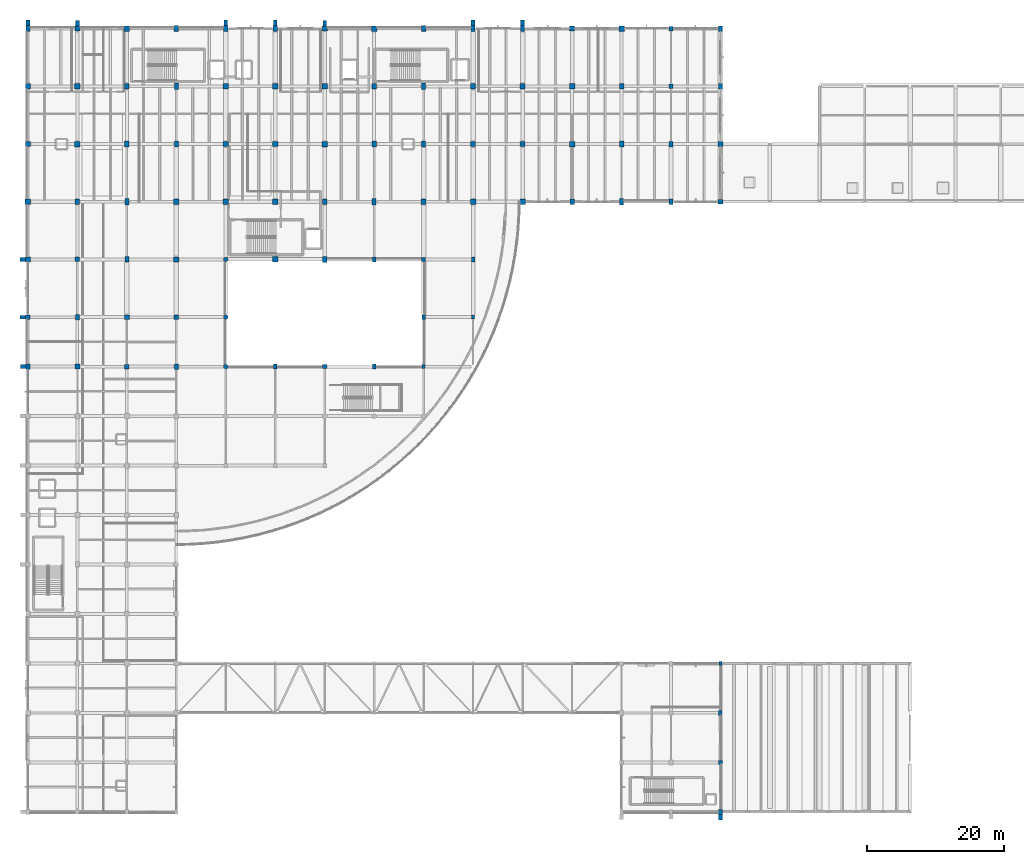
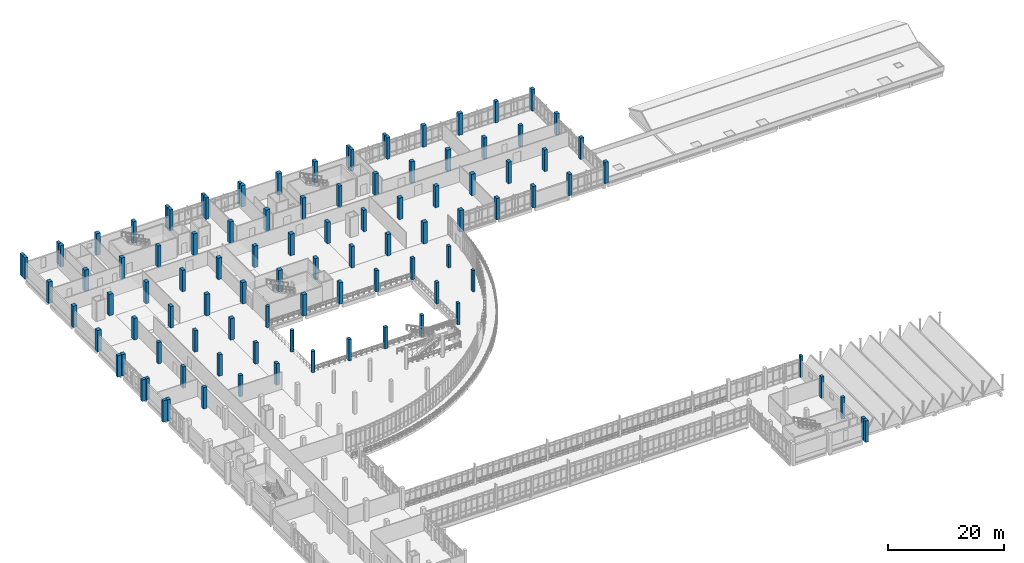
# One storey, part 6 of 124: 101 columns.
"""IFC4 building model written with IfcOpenShell, lengths in metres."""

import ifcopenshell
import ifcopenshell.guid

model = None  # the IFC model being written
_history = None  # IfcOwnerHistory: only IFC2X3 demands one
_inside = {}  # id of a spatial element -> (the spatial element, [elements in it])
_under = {}  # id of a project, library or spatial element -> (it, [spatial elements below it])
_declared = {}  # id of a project -> (the project, [libraries it declares])
_typed = {}  # id of a type object -> (the type object, [elements of that type])
_made_of = {}  # id of a material, layer set ... -> (it, [elements and type objects made of it])


def new_model(schema):
    """Start an empty IFC model of exactly this schema.

    Asked for "IFC4X3", IfcOpenShell would pick the latest addendum, in which some entities
    have other attributes; the version numbers below select the first issue.
    IFC2X3 requires an IfcOwnerHistory on every rooted entity: one is made here for all.
    """
    global model, _history
    if schema == "IFC4X3":
        model = ifcopenshell.file(schema_version=(4, 3, 0, 0))
    else:
        model = ifcopenshell.file(schema=schema)
    _inside.clear()
    _under.clear()
    _declared.clear()
    _typed.clear()
    _made_of.clear()
    _history = None
    if model.schema == "IFC2X3":
        org = make("IfcOrganization", Name="unknown")
        user = make(
            "IfcPersonAndOrganization",
            ThePerson=make("IfcPerson", FamilyName="unknown"),
            TheOrganization=org,
        )
        app = make(
            "IfcApplication",
            ApplicationDeveloper=org,
            Version="unknown",
            ApplicationFullName="unknown",
            ApplicationIdentifier="unknown",
        )
        _history = make(
            "IfcOwnerHistory",
            OwningUser=user,
            OwningApplication=app,
            ChangeAction="ADDED",
            CreationDate=0,
        )
    return model


def make(cls, **values):
    """One entity of the class cls with the attributes given. An attribute that is None is left unset."""
    return model.create_entity(
        cls, **{name: value for name, value in values.items() if value is not None}
    )


def rooted(cls, **values):
    """An entity with a GlobalId (a new one), such as an element, a storey or a relation."""
    return make(cls, GlobalId=ifcopenshell.guid.new(), OwnerHistory=_history, **values)


def si_unit(unit_type, name, prefix=None):
    """IfcSIUnit, for example si_unit("LENGTHUNIT", "METRE", prefix="MILLI")."""
    return make("IfcSIUnit", UnitType=unit_type, Prefix=prefix, Name=name)


def assignment(units):
    """IfcUnitAssignment: the units of a project."""
    return None if units is None else make("IfcUnitAssignment", Units=units)


def point(xyz):
    """IfcCartesianPoint."""
    return None if xyz is None else make("IfcCartesianPoint", Coordinates=xyz)


def direction(xyz):
    """IfcDirection."""
    return None if xyz is None else make("IfcDirection", DirectionRatios=xyz)


def frame(location, z_axis=None, x_axis=None):
    """IfcAxis2Placement3D, a coordinate frame: its origin and axes. An axis left out is left unset."""
    return make(
        "IfcAxis2Placement3D",
        Location=point(location),
        Axis=direction(z_axis),
        RefDirection=direction(x_axis),
    )


def frame_2d(location, x_axis=None):
    """IfcAxis2Placement2D, a coordinate frame in the plane: its origin and x axis."""
    return make(
        "IfcAxis2Placement2D", Location=point(location), RefDirection=direction(x_axis)
    )


def origin():
    """The frame at (0, 0, 0) with its axes left unset."""
    return frame((0.0, 0.0, 0.0))


def origin_2d():
    """The frame at (0, 0) in the plane with its x axis left unset."""
    return frame_2d((0.0, 0.0))


def place(relative_to, where):
    """IfcLocalPlacement: puts the frame where relative to a parent placement (None: the world)."""
    return make(
        "IfcLocalPlacement", PlacementRelTo=relative_to, RelativePlacement=where
    )


def context(
    kind, dimensions, precision=None, world=None, true_north=None, identifier=None
):
    """IfcGeometricRepresentationContext, for example the 3D "Model" context."""
    return make(
        "IfcGeometricRepresentationContext",
        ContextIdentifier=identifier,
        ContextType=kind,
        CoordinateSpaceDimension=dimensions,
        Precision=precision,
        WorldCoordinateSystem=world,
        TrueNorth=true_north,
    )


def subcontext(parent, identifier, kind, view, scale=None):
    """IfcGeometricRepresentationSubContext, for example "Body" below "Model"."""
    return make(
        "IfcGeometricRepresentationSubContext",
        ContextIdentifier=identifier,
        ContextType=kind,
        ParentContext=parent,
        TargetScale=scale,
        TargetView=view,
    )


def project(units=None, contexts=None):
    """IfcProject with its units and contexts."""
    return rooted(
        "IfcProject",
        Name="project",
        RepresentationContexts=contexts,
        UnitsInContext=assignment(units),
    )


def spatial(cls, under=None, at=None, **own):
    """A site, building, storey or space (cls), placed at a placement, below another one or the project."""
    s = rooted(cls, ObjectPlacement=at, **own)
    if under is not None:
        _under.setdefault(under.id(), (under, []))[1].append(s)
    return s


def profile(cls, at=None, kind="AREA", **sizes):
    """A parametric profile (cls). Its sizes go by their IFC names, for example OverallWidth=200.0."""
    return make(cls, ProfileType=kind, Position=at, **sizes)


def rectangle(**sizes):
    """IfcRectangleProfileDef."""
    return profile("IfcRectangleProfileDef", **sizes)


def circle(**sizes):
    """IfcCircleProfileDef."""
    return profile("IfcCircleProfileDef", **sizes)


def extrude(swept, where, along, depth):
    """IfcExtrudedAreaSolid: the profile swept, set in the frame where, extruded along a direction by depth."""
    return make(
        "IfcExtrudedAreaSolid",
        SweptArea=swept,
        Position=where,
        ExtrudedDirection=direction(along),
        Depth=depth,
    )


def shape(context_of_items, identifier, shape_type, items):
    """IfcShapeRepresentation: the items that make up one representation, for example the "Body"."""
    return make(
        "IfcShapeRepresentation",
        ContextOfItems=context_of_items,
        RepresentationIdentifier=identifier,
        RepresentationType=shape_type,
        Items=items,
    )


def material(Name=None, Category=None):
    """IfcMaterial."""
    return make("IfcMaterial", Name=Name, Category=Category)


def material_profile(
    of_material, cross_section, Name=None, Category=None, Priority=None
):
    """IfcMaterialProfile: a cross section and its material."""
    return make(
        "IfcMaterialProfile",
        Name=Name,
        Material=of_material,
        Profile=cross_section,
        Priority=Priority,
        Category=Category,
    )


def profile_set(profiles, Name=None, composite=None):
    """IfcMaterialProfileSet."""
    return make(
        "IfcMaterialProfileSet",
        Name=Name,
        MaterialProfiles=profiles,
        CompositeProfile=composite,
    )


def made_of(thing, what):
    """Note that an element or type object is made of a material, layer set ...; save() writes the relation."""
    if what is not None:
        _made_of.setdefault(what.id(), (what, []))[1].append(thing)
    return thing


def type_object(cls, material=None, **own):
    """A type object (cls), such as IfcWallType, which elements share."""
    return made_of(rooted(cls, **own), material)


def element(
    cls,
    number,
    at=None,
    inside=None,
    cuts=None,
    type_object=None,
    material=None,
    context=None,
    identifier="Body",
    shape_type=None,
    held_by="IfcProductDefinitionShape",
    body=None,
    shapes=None,
    **own,
):
    """One element of the class cls, such as IfcWall. Its Tag is "e" and its number.

    at: its placement. inside: the storey or other place that contains it. cuts: it is an
    opening in that element (IfcRelVoidsElement). A single representation is given by context,
    identifier, shape_type and body (its items); several are given by shapes. held_by: the class
    of the entity that holds the representations. save() writes the other relations.
    """
    e = rooted(cls, Tag="e%d" % number, ObjectPlacement=at, **own)
    if body is not None:
        shapes = [shape(context, identifier, shape_type, body)]
    if shapes is not None:
        e.Representation = make(held_by, Representations=shapes)
    if inside is not None:
        _inside.setdefault(inside.id(), (inside, []))[1].append(e)
    if cuts is not None:
        rooted(
            "IfcRelVoidsElement", RelatingBuildingElement=cuts, RelatedOpeningElement=e
        )
    if type_object is not None:
        _typed.setdefault(type_object.id(), (type_object, []))[1].append(e)
    return made_of(e, material)


def aggregate(whole, parts):
    """IfcRelAggregates: a whole, such as a stair, and the parts it consists of."""
    return rooted("IfcRelAggregates", RelatingObject=whole, RelatedObjects=parts)


def save(model, path):
    """Write the relations noted so far, then the file.

    IfcRelAggregates (storeys below a building ...), IfcRelContainedInSpatialStructure (elements
    in a storey), IfcRelDefinesByType, IfcRelAssociatesMaterial and IfcRelDeclares: one each for
    every whole, place, type object, material and project.
    """
    for whole, parts in _under.values():
        aggregate(whole, parts)
    for where, things in _inside.values():
        rooted(
            "IfcRelContainedInSpatialStructure",
            RelatedElements=things,
            RelatingStructure=where,
        )
    for kind, things in _typed.values():
        rooted("IfcRelDefinesByType", RelatedObjects=things, RelatingType=kind)
    for what, things in _made_of.values():
        rooted("IfcRelAssociatesMaterial", RelatedObjects=things, RelatingMaterial=what)
    for by, libraries in _declared.values():
        rooted("IfcRelDeclares", RelatingContext=by, RelatedDefinitions=libraries)
    model.write(path)


model = new_model("IFC4")

# Units and contexts
model_context = context("Model", 3, precision=1e-05, world=origin(), true_north=direction((0.0, 1.0)))
body_context = subcontext(model_context, "Body", "Model", "MODEL_VIEW")
ifc_project = project(units=[si_unit("LENGTHUNIT", "METRE"), si_unit("AREAUNIT", "SQUARE_METRE"), si_unit("VOLUMEUNIT", "CUBIC_METRE"), si_unit("PLANEANGLEUNIT", "RADIAN"), si_unit("MASSUNIT", "GRAM", prefix="KILO")], contexts=[model_context])

# Site, building, storey
site_placement = place(None, origin())
site = spatial("IfcSite", under=ifc_project, at=site_placement, CompositionType="ELEMENT")
building_placement = place(site_placement, origin())
building = spatial("IfcBuilding", under=site, at=building_placement, Name="Kalluvel Institute of Natural Sciences", CompositionType="ELEMENT")
storey_placement = place(building_placement, frame((0.0, 0.0, 9.89990234375)))
storey = spatial("IfcBuildingStorey", under=building, at=storey_placement, Name="L02", CompositionType="ELEMENT", Elevation=9.89990234375)

# Columns
ifc_material_1 = material(Name="Concrete M40", Category="concrete")
ifc_material_profile_1 = material_profile(ifc_material_1, rectangle(XDim=0.449951171875, YDim=0.60009765625, at=origin_2d()), Name="RC 450x600")
ifc_profile_set_1 = profile_set([ifc_material_profile_1], Name="Concrete M40")
column_type_1 = type_object("IfcColumnType", Name="COL-RC450x600", PredefinedType="COLUMN", material=ifc_profile_set_1)
for number, where, z_axis, x_axis, name in (
    (1, (71.60009765625, 78.800048828125, 0.0), (0.0, 0.0, 1.0), (1.0, 0.0, 0.0), "L02 structural column COL-L02-X716-Y788"),
    (2, (78.800048828125, 86.0, 0.0), (0.0, 0.0, 1.0), (1.0, 0.0, 0.0), "L02 structural column COL-L02-X788-Y860"),
    (3, (114.800048828125, 35.60009765625, 0.0), (0.0, 0.0, 1.0), (1.0, 0.0, 0.0), "L02 structural column COL-L02-X1148-Y356"),
):
    element("IfcColumn", number, at=place(storey_placement, frame(where, z_axis=z_axis, x_axis=x_axis)), inside=storey, type_object=column_type_1, Name=name, PredefinedType="COLUMN", context=body_context, shape_type="SweptSolid", body=[
        extrude(rectangle(XDim=0.449951171875, YDim=0.60009765625, at=origin_2d()), origin(), (0.0, 0.0, 1.0), 4.5),
    ])
ifc_material_profile_2 = material_profile(ifc_material_1, rectangle(XDim=0.5, YDim=0.699951171875, at=origin_2d()), Name="RC 500x700")
ifc_profile_set_2 = profile_set([ifc_material_profile_2], Name="Concrete M40")
column_type_2 = type_object("IfcColumnType", Name="COL-RC500x700", PredefinedType="COLUMN", material=ifc_profile_set_2)
for number, where, z_axis, x_axis, name in (
    (4, (64.39990234375, 78.800048828125, 0.0), (0.0, 0.0, 1.0), (1.0, 0.0, 0.0), "L02 structural column COL-L02-X644-Y788"),
    (5, (71.60009765625, 86.0, 0.0), (0.0, 0.0, 1.0), (1.0, 0.0, 0.0), "L02 structural column COL-L02-X716-Y860"),
    (6, (78.800048828125, 94.39990234375, 0.0), (0.0, 0.0, 1.0), (1.0, 0.0, 0.0), "L02 structural column COL-L02-X788-Y944"),
    (7, (114.800048828125, 28.39990234375, 0.0), (0.0, 0.0, 1.0), (1.0, 0.0, 0.0), "L02 structural column COL-L02-X1148-Y284"),
):
    element("IfcColumn", number, at=place(storey_placement, frame(where, z_axis=z_axis, x_axis=x_axis)), inside=storey, type_object=column_type_2, Name=name, PredefinedType="COLUMN", context=body_context, shape_type="SweptSolid", body=[
        extrude(rectangle(XDim=0.5, YDim=0.699951171875, at=origin_2d()), origin(), (0.0, 0.0, 1.0), 4.5),
    ])
ifc_material_profile_3 = material_profile(ifc_material_1, rectangle(XDim=0.550048828125, YDim=0.75, at=origin_2d()), Name="RC 550x750")
ifc_profile_set_3 = profile_set([ifc_material_profile_3], Name="Concrete M40")
column_type_3 = type_object("IfcColumnType", Name="COL-RC550x750", PredefinedType="COLUMN", material=ifc_profile_set_3)
for number, where, z_axis, x_axis, name in (
    (8, (50.0, 78.800048828125, 0.0), (0.0, 0.0, 1.0), (1.0, 0.0, 0.0), "L02 structural column COL-L02-X500-Y788"),
    (9, (64.39990234375, 94.39990234375, 0.0), (0.0, 0.0, 1.0), (1.0, 0.0, 0.0), "L02 structural column COL-L02-X644-Y944"),
    (10, (114.800048828125, 14.0, 0.0), (0.0, 0.0, 1.0), (1.0, 0.0, 0.0), "L02 structural column COL-L02-X1148-Y140"),
):
    element("IfcColumn", number, at=place(storey_placement, frame(where, z_axis=z_axis, x_axis=x_axis)), inside=storey, type_object=column_type_3, Name=name, PredefinedType="COLUMN", context=body_context, shape_type="SweptSolid", body=[
        extrude(rectangle(XDim=0.550048828125, YDim=0.75, at=origin_2d()), origin(), (0.0, 0.0, 1.0), 4.5),
    ])
ifc_material_profile_4 = material_profile(ifc_material_1, rectangle(XDim=0.60009765625, YDim=0.60009765625, at=origin_2d()), Name="RC 600x600")
ifc_profile_set_4 = profile_set([ifc_material_profile_4], Name="Concrete M40")
column_type_4 = type_object("IfcColumnType", Name="COL-RC600", PredefinedType="COLUMN", material=ifc_profile_set_4)
for number, where, z_axis, x_axis, name in (
    (11, (57.199951171875, 78.800048828125, 0.0), (0.0, 0.0, 1.0), (1.0, 0.0, 0.0), "L02 structural column COL-L02-X572-Y788"),
    (12, (71.60009765625, 94.39990234375, 0.0), (0.0, 0.0, 1.0), (1.0, 0.0, 0.0), "L02 structural column COL-L02-X716-Y944"),
    (13, (114.800048828125, 21.199951171875, 0.0), (0.0, 0.0, 1.0), (1.0, 0.0, 0.0), "L02 structural column COL-L02-X1148-Y212"),
):
    element("IfcColumn", number, at=place(storey_placement, frame(where, z_axis=z_axis, x_axis=x_axis)), inside=storey, type_object=column_type_4, Name=name, PredefinedType="COLUMN", context=body_context, shape_type="SweptSolid", body=[
        extrude(rectangle(XDim=0.60009765625, YDim=0.60009765625, at=origin_2d()), origin(), (0.0, 0.0, 1.0), 4.5),
    ])
ifc_material_2 = material(Name="Concrete M50", Category="concrete")
ifc_material_profile_5 = material_profile(ifc_material_2, rectangle(XDim=0.60009765625, YDim=0.800048828125, at=origin_2d()), Name="RC 600x800")
ifc_profile_set_5 = profile_set([ifc_material_profile_5], Name="Concrete M50")
column_type_5 = type_object("IfcColumnType", Name="COL-RC600x800", PredefinedType="COLUMN", material=ifc_profile_set_5)
for number, where, z_axis, x_axis, name in (
    (14, (14.0, 78.800048828125, 0.0), (0.0, 0.0, 1.0), (1.0, 0.0, 0.0), "L02 structural column COL-L02-X140-Y788"),
    (15, (21.199951171875, 86.0, 0.0), (0.0, 0.0, 1.0), (1.0, 0.0, 0.0), "L02 structural column COL-L02-X212-Y860"),
    (16, (28.39990234375, 94.39990234375, 0.0), (0.0, 0.0, 1.0), (1.0, 0.0, 0.0), "L02 structural column COL-L02-X284-Y944"),
    (17, (35.60009765625, 78.800048828125, 0.0), (0.0, 0.0, 1.0), (1.0, 0.0, 0.0), "L02 structural column COL-L02-X356-Y788"),
    (18, (107.60009765625, 102.800048828125, 0.0), (0.0, 0.0, 1.0), (1.0, 0.0, 0.0), "L02 structural column COL-L02-X1076-Y1028"),
    (19, (107.60009765625, 111.199951171875, 0.0), (0.0, 0.0, 1.0), (1.0, 0.0, 0.0), "L02 structural column COL-L02-X1076-Y1112"),
    (20, (114.800048828125, 119.60009765625, 0.0), (0.0, 0.0, 1.0), (1.0, 0.0, 0.0), "L02 structural column COL-L02-X1148-Y1196"),
    (21, (114.800048828125, 128.0, 0.0), (0.0, 0.0, 1.0), (1.0, 0.0, 0.0), "L02 structural column COL-L02-X1148-Y1280"),
):
    element("IfcColumn", number, at=place(storey_placement, frame(where, z_axis=z_axis, x_axis=x_axis)), inside=storey, type_object=column_type_5, Name=name, PredefinedType="COLUMN", context=body_context, shape_type="SweptSolid", body=[
        extrude(rectangle(XDim=0.60009765625, YDim=0.800048828125, at=origin_2d()), origin(), (0.0, 0.0, 1.0), 4.5),
    ])
ifc_material_profile_6 = material_profile(ifc_material_2, rectangle(XDim=0.60009765625, YDim=0.89990234375, at=origin_2d()), Name="RC 600x900")
ifc_profile_set_6 = profile_set([ifc_material_profile_6], Name="Concrete M50")
column_type_6 = type_object("IfcColumnType", Name="COL-RC600x900", PredefinedType="COLUMN", material=ifc_profile_set_6)
for number, where, z_axis, x_axis, name in (
    (22, (14.0, 128.0, 0.0), (0.0, 0.0, 1.0), (1.0, 0.0, 0.0), "L02 structural column COL-L02-X140-Y1280"),
    (23, (28.39990234375, 102.800048828125, 0.0), (0.0, 0.0, 1.0), (1.0, 0.0, 0.0), "L02 structural column COL-L02-X284-Y1028"),
    (24, (35.60009765625, 111.199951171875, 0.0), (0.0, 0.0, 1.0), (1.0, 0.0, 0.0), "L02 structural column COL-L02-X356-Y1112"),
    (25, (35.60009765625, 119.60009765625, 0.0), (0.0, 0.0, 1.0), (1.0, 0.0, 0.0), "L02 structural column COL-L02-X356-Y1196"),
    (26, (42.800048828125, 128.0, 0.0), (0.0, 0.0, 1.0), (1.0, 0.0, 0.0), "L02 structural column COL-L02-X428-Y1280"),
    (27, (50.0, 128.0, 0.0), (0.0, 0.0, 1.0), (1.0, 0.0, 0.0), "L02 structural column COL-L02-X500-Y1280"),
    (28, (64.39990234375, 102.800048828125, 0.0), (0.0, 0.0, 1.0), (1.0, 0.0, 0.0), "L02 structural column COL-L02-X644-Y1028"),
    (29, (71.60009765625, 111.199951171875, 0.0), (0.0, 0.0, 1.0), (1.0, 0.0, 0.0), "L02 structural column COL-L02-X716-Y1112"),
    (30, (71.60009765625, 119.60009765625, 0.0), (0.0, 0.0, 1.0), (1.0, 0.0, 0.0), "L02 structural column COL-L02-X716-Y1196"),
    (31, (78.800048828125, 128.0, 0.0), (0.0, 0.0, 1.0), (1.0, 0.0, 0.0), "L02 structural column COL-L02-X788-Y1280"),
    (32, (86.0, 128.0, 0.0), (0.0, 0.0, 1.0), (1.0, 0.0, 0.0), "L02 structural column COL-L02-X860-Y1280"),
    (33, (100.39990234375, 102.800048828125, 0.0), (0.0, 0.0, 1.0), (1.0, 0.0, 0.0), "L02 structural column COL-L02-X1004-Y1028"),
):
    element("IfcColumn", number, at=place(storey_placement, frame(where, z_axis=z_axis, x_axis=x_axis)), inside=storey, type_object=column_type_6, Name=name, PredefinedType="COLUMN", context=body_context, shape_type="SweptSolid", body=[
        extrude(rectangle(XDim=0.60009765625, YDim=0.89990234375, at=origin_2d()), origin(), (0.0, 0.0, 1.0), 4.5),
    ])
ifc_material_profile_7 = material_profile(ifc_material_1, rectangle(XDim=0.64990234375, YDim=0.64990234375, at=origin_2d()), Name="RC 650x650")
ifc_profile_set_7 = profile_set([ifc_material_profile_7], Name="Concrete M40")
column_type_7 = type_object("IfcColumnType", Name="COL-RC650", PredefinedType="COLUMN", material=ifc_profile_set_7)
for number, where, z_axis, x_axis, name in (
    (34, (14.0, 86.0, 0.0), (0.0, 0.0, 1.0), (1.0, 0.0, 0.0), "L02 structural column COL-L02-X140-Y860"),
    (35, (21.199951171875, 94.39990234375, 0.0), (0.0, 0.0, 1.0), (1.0, 0.0, 0.0), "L02 structural column COL-L02-X212-Y944"),
    (36, (28.39990234375, 78.800048828125, 0.0), (0.0, 0.0, 1.0), (1.0, 0.0, 0.0), "L02 structural column COL-L02-X284-Y788"),
    (37, (35.60009765625, 86.0, 0.0), (0.0, 0.0, 1.0), (1.0, 0.0, 0.0), "L02 structural column COL-L02-X356-Y860"),
    (38, (107.60009765625, 119.60009765625, 0.0), (0.0, 0.0, 1.0), (1.0, 0.0, 0.0), "L02 structural column COL-L02-X1076-Y1196"),
    (39, (107.60009765625, 128.0, 0.0), (0.0, 0.0, 1.0), (1.0, 0.0, 0.0), "L02 structural column COL-L02-X1076-Y1280"),
):
    element("IfcColumn", number, at=place(storey_placement, frame(where, z_axis=z_axis, x_axis=x_axis)), inside=storey, type_object=column_type_7, Name=name, PredefinedType="COLUMN", context=body_context, shape_type="SweptSolid", body=[
        extrude(rectangle(XDim=0.64990234375, YDim=0.64990234375, at=origin_2d()), origin(), (0.0, 0.0, 1.0), 4.5),
    ])
ifc_material_profile_8 = material_profile(ifc_material_2, rectangle(XDim=0.64990234375, YDim=0.85009765625, at=origin_2d()), Name="RC 650x850")
ifc_profile_set_8 = profile_set([ifc_material_profile_8], Name="Concrete M50")
column_type_8 = type_object("IfcColumnType", Name="COL-RC650x850", PredefinedType="COLUMN", material=ifc_profile_set_8)
for number, where, z_axis, x_axis, name in (
    (40, (21.199951171875, 102.800048828125, 0.0), (0.0, 0.0, 1.0), (1.0, 0.0, 0.0), "L02 structural column COL-L02-X212-Y1028"),
    (41, (28.39990234375, 111.199951171875, 0.0), (0.0, 0.0, 1.0), (1.0, 0.0, 0.0), "L02 structural column COL-L02-X284-Y1112"),
    (42, (28.39990234375, 119.60009765625, 0.0), (0.0, 0.0, 1.0), (1.0, 0.0, 0.0), "L02 structural column COL-L02-X284-Y1196"),
    (43, (35.60009765625, 128.0, 0.0), (0.0, 0.0, 1.0), (1.0, 0.0, 0.0), "L02 structural column COL-L02-X356-Y1280"),
    (44, (57.199951171875, 94.39990234375, 0.0), (0.0, 0.0, 1.0), (1.0, 0.0, 0.0), "L02 structural column COL-L02-X572-Y944"),
    (45, (57.199951171875, 102.800048828125, 0.0), (0.0, 0.0, 1.0), (1.0, 0.0, 0.0), "L02 structural column COL-L02-X572-Y1028"),
    (46, (64.39990234375, 111.199951171875, 0.0), (0.0, 0.0, 1.0), (1.0, 0.0, 0.0), "L02 structural column COL-L02-X644-Y1112"),
    (47, (64.39990234375, 119.60009765625, 0.0), (0.0, 0.0, 1.0), (1.0, 0.0, 0.0), "L02 structural column COL-L02-X644-Y1196"),
    (48, (71.60009765625, 128.0, 0.0), (0.0, 0.0, 1.0), (1.0, 0.0, 0.0), "L02 structural column COL-L02-X716-Y1280"),
    (49, (93.199951171875, 102.800048828125, 0.0), (0.0, 0.0, 1.0), (1.0, 0.0, 0.0), "L02 structural column COL-L02-X932-Y1028"),
    (50, (100.39990234375, 111.199951171875, 0.0), (0.0, 0.0, 1.0), (1.0, 0.0, 0.0), "L02 structural column COL-L02-X1004-Y1112"),
    (51, (100.39990234375, 119.60009765625, 0.0), (0.0, 0.0, 1.0), (1.0, 0.0, 0.0), "L02 structural column COL-L02-X1004-Y1196"),
):
    element("IfcColumn", number, at=place(storey_placement, frame(where, z_axis=z_axis, x_axis=x_axis)), inside=storey, type_object=column_type_8, Name=name, PredefinedType="COLUMN", context=body_context, shape_type="SweptSolid", body=[
        extrude(rectangle(XDim=0.64990234375, YDim=0.85009765625, at=origin_2d()), origin(), (0.0, 0.0, 1.0), 4.5),
    ])
ifc_material_profile_9 = material_profile(ifc_material_1, rectangle(XDim=0.699951171875, YDim=0.699951171875, at=origin_2d()), Name="RC 700x700")
ifc_profile_set_9 = profile_set([ifc_material_profile_9], Name="Concrete M40")
column_type_9 = type_object("IfcColumnType", Name="COL-RC700", PredefinedType="COLUMN", material=ifc_profile_set_9)
for number, where, z_axis, x_axis, name in (
    (52, (14.0, 94.39990234375, 0.0), (0.0, 0.0, 1.0), (1.0, 0.0, 0.0), "L02 structural column COL-L02-X140-Y944"),
    (53, (21.199951171875, 78.800048828125, 0.0), (0.0, 0.0, 1.0), (1.0, 0.0, 0.0), "L02 structural column COL-L02-X212-Y788"),
    (54, (28.39990234375, 86.0, 0.0), (0.0, 0.0, 1.0), (1.0, 0.0, 0.0), "L02 structural column COL-L02-X284-Y860"),
    (55, (114.800048828125, 102.800048828125, 0.0), (0.0, 0.0, 1.0), (1.0, 0.0, 0.0), "L02 structural column COL-L02-X1148-Y1028"),
    (56, (114.800048828125, 111.199951171875, 0.0), (0.0, 0.0, 1.0), (1.0, 0.0, 0.0), "L02 structural column COL-L02-X1148-Y1112"),
):
    element("IfcColumn", number, at=place(storey_placement, frame(where, z_axis=z_axis, x_axis=x_axis)), inside=storey, type_object=column_type_9, Name=name, PredefinedType="COLUMN", context=body_context, shape_type="SweptSolid", body=[
        extrude(rectangle(XDim=0.699951171875, YDim=0.699951171875, at=origin_2d()), origin(), (0.0, 0.0, 1.0), 4.5),
    ])
ifc_material_profile_10 = material_profile(ifc_material_2, rectangle(XDim=0.75, YDim=0.75, at=origin_2d()), Name="RC 750x750")
ifc_profile_set_10 = profile_set([ifc_material_profile_10], Name="Concrete M50")
column_type_10 = type_object("IfcColumnType", Name="COL-RC750", PredefinedType="COLUMN", material=ifc_profile_set_10)
for number, where, z_axis, x_axis, name in (
    (57, (14.0, 111.199951171875, 0.0), (0.0, 0.0, 1.0), (1.0, 0.0, 0.0), "L02 structural column COL-L02-X140-Y1112"),
    (58, (14.0, 119.60009765625, 0.0), (0.0, 0.0, 1.0), (1.0, 0.0, 0.0), "L02 structural column COL-L02-X140-Y1196"),
    (59, (21.199951171875, 128.0, 0.0), (0.0, 0.0, 1.0), (1.0, 0.0, 0.0), "L02 structural column COL-L02-X212-Y1280"),
    (60, (35.60009765625, 94.39990234375, 0.0), (0.0, 0.0, 1.0), (1.0, 0.0, 0.0), "L02 structural column COL-L02-X356-Y944"),
    (61, (35.60009765625, 102.800048828125, 0.0), (0.0, 0.0, 1.0), (1.0, 0.0, 0.0), "L02 structural column COL-L02-X356-Y1028"),
    (62, (42.800048828125, 111.199951171875, 0.0), (0.0, 0.0, 1.0), (1.0, 0.0, 0.0), "L02 structural column COL-L02-X428-Y1112"),
    (63, (42.800048828125, 119.60009765625, 0.0), (0.0, 0.0, 1.0), (1.0, 0.0, 0.0), "L02 structural column COL-L02-X428-Y1196"),
    (64, (50.0, 111.199951171875, 0.0), (0.0, 0.0, 1.0), (1.0, 0.0, 0.0), "L02 structural column COL-L02-X500-Y1112"),
    (65, (50.0, 119.60009765625, 0.0), (0.0, 0.0, 1.0), (1.0, 0.0, 0.0), "L02 structural column COL-L02-X500-Y1196"),
    (66, (57.199951171875, 128.0, 0.0), (0.0, 0.0, 1.0), (1.0, 0.0, 0.0), "L02 structural column COL-L02-X572-Y1280"),
    (67, (71.60009765625, 102.800048828125, 0.0), (0.0, 0.0, 1.0), (1.0, 0.0, 0.0), "L02 structural column COL-L02-X716-Y1028"),
    (68, (78.800048828125, 111.199951171875, 0.0), (0.0, 0.0, 1.0), (1.0, 0.0, 0.0), "L02 structural column COL-L02-X788-Y1112"),
    (69, (78.800048828125, 119.60009765625, 0.0), (0.0, 0.0, 1.0), (1.0, 0.0, 0.0), "L02 structural column COL-L02-X788-Y1196"),
    (70, (86.0, 111.199951171875, 0.0), (0.0, 0.0, 1.0), (1.0, 0.0, 0.0), "L02 structural column COL-L02-X860-Y1112"),
    (71, (86.0, 119.60009765625, 0.0), (0.0, 0.0, 1.0), (1.0, 0.0, 0.0), "L02 structural column COL-L02-X860-Y1196"),
    (72, (93.199951171875, 128.0, 0.0), (0.0, 0.0, 1.0), (1.0, 0.0, 0.0), "L02 structural column COL-L02-X932-Y1280"),
):
    element("IfcColumn", number, at=place(storey_placement, frame(where, z_axis=z_axis, x_axis=x_axis)), inside=storey, type_object=column_type_10, Name=name, PredefinedType="COLUMN", context=body_context, shape_type="SweptSolid", body=[
        extrude(rectangle(XDim=0.75, YDim=0.75, at=origin_2d()), origin(), (0.0, 0.0, 1.0), 4.5),
    ])
ifc_material_profile_11 = material_profile(ifc_material_2, rectangle(XDim=0.800048828125, YDim=0.800048828125, at=origin_2d()), Name="RC 800x800")
ifc_profile_set_11 = profile_set([ifc_material_profile_11], Name="Concrete M50")
column_type_11 = type_object("IfcColumnType", Name="COL-RC800", PredefinedType="COLUMN", material=ifc_profile_set_11)
for number, where, z_axis, x_axis, name in (
    (73, (14.0, 102.800048828125, 0.0), (0.0, 0.0, 1.0), (1.0, 0.0, 0.0), "L02 structural column COL-L02-X140-Y1028"),
    (74, (21.199951171875, 111.199951171875, 0.0), (0.0, 0.0, 1.0), (1.0, 0.0, 0.0), "L02 structural column COL-L02-X212-Y1112"),
    (75, (21.199951171875, 119.60009765625, 0.0), (0.0, 0.0, 1.0), (1.0, 0.0, 0.0), "L02 structural column COL-L02-X212-Y1196"),
    (76, (28.39990234375, 128.0, 0.0), (0.0, 0.0, 1.0), (1.0, 0.0, 0.0), "L02 structural column COL-L02-X284-Y1280"),
    (77, (42.800048828125, 102.800048828125, 0.0), (0.0, 0.0, 1.0), (1.0, 0.0, 0.0), "L02 structural column COL-L02-X428-Y1028"),
    (78, (50.0, 94.39990234375, 0.0), (0.0, 0.0, 1.0), (1.0, 0.0, 0.0), "L02 structural column COL-L02-X500-Y944"),
    (79, (50.0, 102.800048828125, 0.0), (0.0, 0.0, 1.0), (1.0, 0.0, 0.0), "L02 structural column COL-L02-X500-Y1028"),
    (80, (57.199951171875, 111.199951171875, 0.0), (0.0, 0.0, 1.0), (1.0, 0.0, 0.0), "L02 structural column COL-L02-X572-Y1112"),
    (81, (57.199951171875, 119.60009765625, 0.0), (0.0, 0.0, 1.0), (1.0, 0.0, 0.0), "L02 structural column COL-L02-X572-Y1196"),
    (82, (64.39990234375, 128.0, 0.0), (0.0, 0.0, 1.0), (1.0, 0.0, 0.0), "L02 structural column COL-L02-X644-Y1280"),
    (83, (78.800048828125, 102.800048828125, 0.0), (0.0, 0.0, 1.0), (1.0, 0.0, 0.0), "L02 structural column COL-L02-X788-Y1028"),
    (84, (86.0, 102.800048828125, 0.0), (0.0, 0.0, 1.0), (1.0, 0.0, 0.0), "L02 structural column COL-L02-X860-Y1028"),
    (85, (93.199951171875, 111.199951171875, 0.0), (0.0, 0.0, 1.0), (1.0, 0.0, 0.0), "L02 structural column COL-L02-X932-Y1112"),
    (86, (93.199951171875, 119.60009765625, 0.0), (0.0, 0.0, 1.0), (1.0, 0.0, 0.0), "L02 structural column COL-L02-X932-Y1196"),
    (87, (100.39990234375, 128.0, 0.0), (0.0, 0.0, 1.0), (1.0, 0.0, 0.0), "L02 structural column COL-L02-X1004-Y1280"),
):
    element("IfcColumn", number, at=place(storey_placement, frame(where, z_axis=z_axis, x_axis=x_axis)), inside=storey, type_object=column_type_11, Name=name, PredefinedType="COLUMN", context=body_context, shape_type="SweptSolid", body=[
        extrude(rectangle(XDim=0.800048828125, YDim=0.800048828125, at=origin_2d()), origin(), (0.0, 0.0, 1.0), 4.5),
    ])
ifc_material_profile_12 = material_profile(ifc_material_1, circle(Radius=0.324951171875, at=origin_2d()), Name="RCCOL D650")
ifc_profile_set_12 = profile_set([ifc_material_profile_12], Name="Concrete M40")
column_type_12 = type_object("IfcColumnType", Name="COL-RCD650", PredefinedType="COLUMN", material=ifc_profile_set_12)
for number, where, z_axis, x_axis, name in (
    (88, (42.800048828125, 78.800048828125, 0.0), (0.0, 0.0, 1.0), (1.0, 0.0, 0.0), "L02 structural column COL-L02-X428-Y788"),
    (89, (42.800048828125, 86.0, 0.0), (0.0, 0.0, 1.0), (1.0, 0.0, 0.0), "L02 structural column COL-L02-X428-Y860"),
    (90, (42.800048828125, 94.39990234375, 0.0), (0.0, 0.0, 1.0), (1.0, 0.0, 0.0), "L02 structural column COL-L02-X428-Y944"),
):
    element("IfcColumn", number, at=place(storey_placement, frame(where, z_axis=z_axis, x_axis=x_axis)), inside=storey, type_object=column_type_12, Name=name, PredefinedType="COLUMN", context=body_context, shape_type="SweptSolid", body=[
        extrude(circle(Radius=0.324951171875, at=origin_2d()), origin(), (0.0, 0.0, 1.0), 4.5),
    ])
ifc_material_3 = material(Name="Sadarahalli Granite Precast Concrete M45", Category="masonry")
ifc_material_profile_13 = material_profile(ifc_material_3, rectangle(XDim=0.550048828125, YDim=0.800048828125, at=origin_2d()), Name="PIL 550x800")
ifc_profile_set_13 = profile_set([ifc_material_profile_13], Name="Sadarahalli Granite Precast Concrete M45")
column_type_13 = type_object("IfcColumnType", Name="PIL-550x800", PredefinedType="PILASTER", material=ifc_profile_set_13)
for number, where, z_axis, x_axis, name in (
    (91, (14.0, 128.85302734375, 0.0), (0.0, 0.0, 1.0), (1.0, 0.0, 0.0), "L02 Gothic stepped Sadarahalli granite buttress 4"),
    (92, (21.199951171875, 128.778076171875, 0.0), (0.0, 0.0, 1.0), (1.0, 0.0, 0.0), "L02 Gothic stepped Sadarahalli granite buttress 14"),
    (93, (42.800048828125, 128.85302734375, 0.0), (0.0, 0.0, 1.0), (1.0, 0.0, 0.0), "L02 Gothic stepped Sadarahalli granite buttress 24"),
    (94, (50.0, 128.85302734375, 0.0), (0.0, 0.0, 1.0), (1.0, 0.0, 0.0), "L02 Gothic stepped Sadarahalli granite buttress 34"),
    (95, (57.199951171875, 128.778076171875, 0.0), (0.0, 0.0, 1.0), (1.0, 0.0, 0.0), "L02 Gothic stepped Sadarahalli granite buttress 44"),
    (96, (78.800048828125, 128.85302734375, 0.0), (0.0, 0.0, 1.0), (1.0, 0.0, 0.0), "L02 Gothic stepped Sadarahalli granite buttress 54"),
    (97, (86.0, 128.85302734375, 0.0), (0.0, 0.0, 1.0), (1.0, 0.0, 0.0), "L02 Gothic stepped Sadarahalli granite buttress 64"),
    (98, (13.297119140625, 78.800048828125, 0.0), (0.0, 0.0, 1.0), (0.0, 1.0, 0.0), "L02 Gothic stepped Sadarahalli granite buttress 112"),
    (99, (13.27197265625, 86.0, 0.0), (0.0, 0.0, 1.0), (0.0, 1.0, 0.0), "L02 Gothic stepped Sadarahalli granite buttress 120"),
    (100, (13.2470703125, 94.39990234375, 0.0), (0.0, 0.0, 1.0), (0.0, 1.0, 0.0), "L02 Gothic stepped Sadarahalli granite buttress 128"),
    (101, (114.800048828125, 13.221923828125, 0.0), (0.0, 0.0, 1.0), (1.0, 0.0, 0.0), "L02 Lecture and Commons Gothic stone buttress 146"),
):
    element("IfcColumn", number, at=place(storey_placement, frame(where, z_axis=z_axis, x_axis=x_axis)), inside=storey, type_object=column_type_13, Name=name, PredefinedType="PILASTER", context=body_context, shape_type="SweptSolid", body=[
        extrude(rectangle(XDim=0.550048828125, YDim=0.800048828125, at=origin_2d()), origin(), (0.0, 0.0, 1.0), 4.5),
    ])

save(model, "model.ifc")
